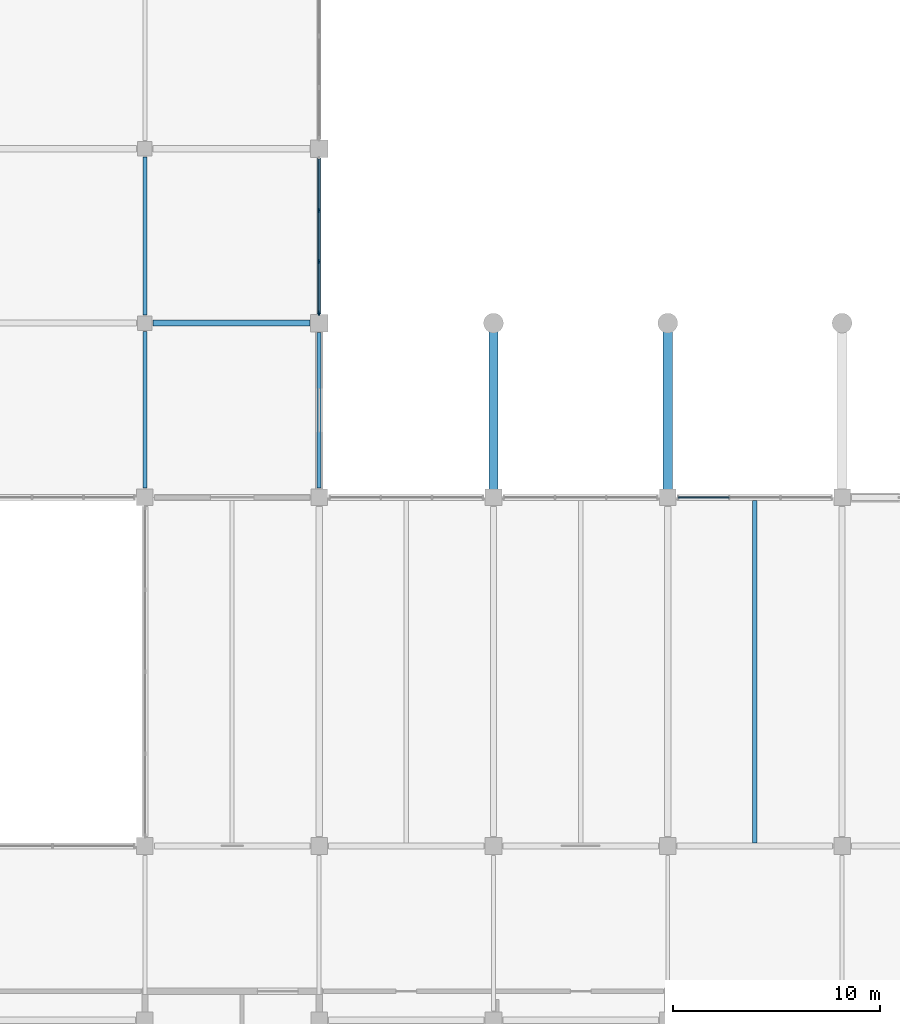
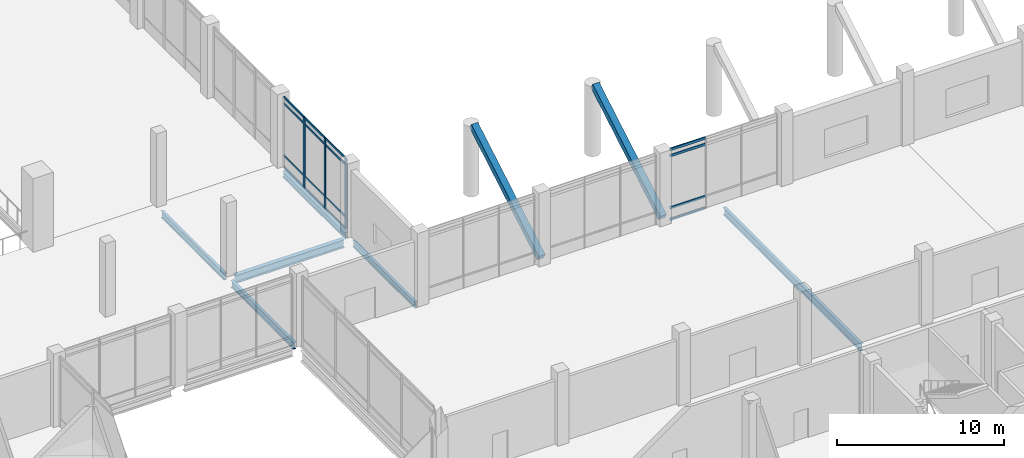
# One storey, part 10 of 72: 21 members, 6 beams, 2 elements without a shape of their own.
"""IFC4 building model written with IfcOpenShell, lengths in metres."""

import ifcopenshell
import ifcopenshell.guid

model = None  # the IFC model being written
_history = None  # IfcOwnerHistory: only IFC2X3 demands one
_inside = {}  # id of a spatial element -> (the spatial element, [elements in it])
_under = {}  # id of a project, library or spatial element -> (it, [spatial elements below it])
_declared = {}  # id of a project -> (the project, [libraries it declares])
_typed = {}  # id of a type object -> (the type object, [elements of that type])
_made_of = {}  # id of a material, layer set ... -> (it, [elements and type objects made of it])


def new_model(schema):
    """Start an empty IFC model of exactly this schema.

    Asked for "IFC4X3", IfcOpenShell would pick the latest addendum, in which some entities
    have other attributes; the version numbers below select the first issue.
    IFC2X3 requires an IfcOwnerHistory on every rooted entity: one is made here for all.
    """
    global model, _history
    if schema == "IFC4X3":
        model = ifcopenshell.file(schema_version=(4, 3, 0, 0))
    else:
        model = ifcopenshell.file(schema=schema)
    _inside.clear()
    _under.clear()
    _declared.clear()
    _typed.clear()
    _made_of.clear()
    _history = None
    if model.schema == "IFC2X3":
        org = make("IfcOrganization", Name="unknown")
        user = make(
            "IfcPersonAndOrganization",
            ThePerson=make("IfcPerson", FamilyName="unknown"),
            TheOrganization=org,
        )
        app = make(
            "IfcApplication",
            ApplicationDeveloper=org,
            Version="unknown",
            ApplicationFullName="unknown",
            ApplicationIdentifier="unknown",
        )
        _history = make(
            "IfcOwnerHistory",
            OwningUser=user,
            OwningApplication=app,
            ChangeAction="ADDED",
            CreationDate=0,
        )
    return model


def make(cls, **values):
    """One entity of the class cls with the attributes given. An attribute that is None is left unset."""
    return model.create_entity(
        cls, **{name: value for name, value in values.items() if value is not None}
    )


def rooted(cls, **values):
    """An entity with a GlobalId (a new one), such as an element, a storey or a relation."""
    return make(cls, GlobalId=ifcopenshell.guid.new(), OwnerHistory=_history, **values)


def si_unit(unit_type, name, prefix=None):
    """IfcSIUnit, for example si_unit("LENGTHUNIT", "METRE", prefix="MILLI")."""
    return make("IfcSIUnit", UnitType=unit_type, Prefix=prefix, Name=name)


def assignment(units):
    """IfcUnitAssignment: the units of a project."""
    return None if units is None else make("IfcUnitAssignment", Units=units)


def point(xyz):
    """IfcCartesianPoint."""
    return None if xyz is None else make("IfcCartesianPoint", Coordinates=xyz)


def direction(xyz):
    """IfcDirection."""
    return None if xyz is None else make("IfcDirection", DirectionRatios=xyz)


def frame(location, z_axis=None, x_axis=None):
    """IfcAxis2Placement3D, a coordinate frame: its origin and axes. An axis left out is left unset."""
    return make(
        "IfcAxis2Placement3D",
        Location=point(location),
        Axis=direction(z_axis),
        RefDirection=direction(x_axis),
    )


def frame_2d(location, x_axis=None):
    """IfcAxis2Placement2D, a coordinate frame in the plane: its origin and x axis."""
    return make(
        "IfcAxis2Placement2D", Location=point(location), RefDirection=direction(x_axis)
    )


def origin():
    """The frame at (0, 0, 0) with its axes left unset."""
    return frame((0.0, 0.0, 0.0))


def origin_2d():
    """The frame at (0, 0) in the plane with its x axis left unset."""
    return frame_2d((0.0, 0.0))


def place(relative_to, where):
    """IfcLocalPlacement: puts the frame where relative to a parent placement (None: the world)."""
    return make(
        "IfcLocalPlacement", PlacementRelTo=relative_to, RelativePlacement=where
    )


def context(
    kind, dimensions, precision=None, world=None, true_north=None, identifier=None
):
    """IfcGeometricRepresentationContext, for example the 3D "Model" context."""
    return make(
        "IfcGeometricRepresentationContext",
        ContextIdentifier=identifier,
        ContextType=kind,
        CoordinateSpaceDimension=dimensions,
        Precision=precision,
        WorldCoordinateSystem=world,
        TrueNorth=true_north,
    )


def subcontext(parent, identifier, kind, view, scale=None):
    """IfcGeometricRepresentationSubContext, for example "Body" below "Model"."""
    return make(
        "IfcGeometricRepresentationSubContext",
        ContextIdentifier=identifier,
        ContextType=kind,
        ParentContext=parent,
        TargetScale=scale,
        TargetView=view,
    )


def project(units=None, contexts=None):
    """IfcProject with its units and contexts."""
    return rooted(
        "IfcProject",
        Name="project",
        RepresentationContexts=contexts,
        UnitsInContext=assignment(units),
    )


def spatial(cls, under=None, at=None, **own):
    """A site, building, storey or space (cls), placed at a placement, below another one or the project."""
    s = rooted(cls, ObjectPlacement=at, **own)
    if under is not None:
        _under.setdefault(under.id(), (under, []))[1].append(s)
    return s


def profile(cls, at=None, kind="AREA", **sizes):
    """A parametric profile (cls). Its sizes go by their IFC names, for example OverallWidth=200.0."""
    return make(cls, ProfileType=kind, Position=at, **sizes)


def rectangle(**sizes):
    """IfcRectangleProfileDef."""
    return profile("IfcRectangleProfileDef", **sizes)


def i_section(**sizes):
    """IfcIShapeProfileDef."""
    return profile("IfcIShapeProfileDef", **sizes)


def extrude(swept, where, along, depth):
    """IfcExtrudedAreaSolid: the profile swept, set in the frame where, extruded along a direction by depth."""
    return make(
        "IfcExtrudedAreaSolid",
        SweptArea=swept,
        Position=where,
        ExtrudedDirection=direction(along),
        Depth=depth,
    )


def shape(context_of_items, identifier, shape_type, items):
    """IfcShapeRepresentation: the items that make up one representation, for example the "Body"."""
    return make(
        "IfcShapeRepresentation",
        ContextOfItems=context_of_items,
        RepresentationIdentifier=identifier,
        RepresentationType=shape_type,
        Items=items,
    )


def material(Name=None, Category=None):
    """IfcMaterial."""
    return make("IfcMaterial", Name=Name, Category=Category)


def layer(
    of_material, thickness, ventilated=None, Name=None, Category=None, Priority=None
):
    """IfcMaterialLayer: one layer of a wall or slab, of a material (None: an air gap)."""
    return make(
        "IfcMaterialLayer",
        Material=of_material,
        LayerThickness=thickness,
        IsVentilated=ventilated,
        Name=Name,
        Category=Category,
        Priority=Priority,
    )


def layer_set(layers, Name=None):
    """IfcMaterialLayerSet."""
    return make("IfcMaterialLayerSet", MaterialLayers=layers, LayerSetName=Name)


def material_profile(
    of_material, cross_section, Name=None, Category=None, Priority=None
):
    """IfcMaterialProfile: a cross section and its material."""
    return make(
        "IfcMaterialProfile",
        Name=Name,
        Material=of_material,
        Profile=cross_section,
        Priority=Priority,
        Category=Category,
    )


def profile_set(profiles, Name=None, composite=None):
    """IfcMaterialProfileSet."""
    return make(
        "IfcMaterialProfileSet",
        Name=Name,
        MaterialProfiles=profiles,
        CompositeProfile=composite,
    )


def made_of(thing, what):
    """Note that an element or type object is made of a material, layer set ...; save() writes the relation."""
    if what is not None:
        _made_of.setdefault(what.id(), (what, []))[1].append(thing)
    return thing


def type_object(cls, material=None, **own):
    """A type object (cls), such as IfcWallType, which elements share."""
    return made_of(rooted(cls, **own), material)


def element(
    cls,
    number,
    at=None,
    inside=None,
    cuts=None,
    type_object=None,
    material=None,
    context=None,
    identifier="Body",
    shape_type=None,
    held_by="IfcProductDefinitionShape",
    body=None,
    shapes=None,
    **own,
):
    """One element of the class cls, such as IfcWall. Its Tag is "e" and its number.

    at: its placement. inside: the storey or other place that contains it. cuts: it is an
    opening in that element (IfcRelVoidsElement). A single representation is given by context,
    identifier, shape_type and body (its items); several are given by shapes. held_by: the class
    of the entity that holds the representations. save() writes the other relations.
    """
    e = rooted(cls, Tag="e%d" % number, ObjectPlacement=at, **own)
    if body is not None:
        shapes = [shape(context, identifier, shape_type, body)]
    if shapes is not None:
        e.Representation = make(held_by, Representations=shapes)
    if inside is not None:
        _inside.setdefault(inside.id(), (inside, []))[1].append(e)
    if cuts is not None:
        rooted(
            "IfcRelVoidsElement", RelatingBuildingElement=cuts, RelatedOpeningElement=e
        )
    if type_object is not None:
        _typed.setdefault(type_object.id(), (type_object, []))[1].append(e)
    return made_of(e, material)


def aggregate(whole, parts):
    """IfcRelAggregates: a whole, such as a stair, and the parts it consists of."""
    return rooted("IfcRelAggregates", RelatingObject=whole, RelatedObjects=parts)


def save(model, path):
    """Write the relations noted so far, then the file.

    IfcRelAggregates (storeys below a building ...), IfcRelContainedInSpatialStructure (elements
    in a storey), IfcRelDefinesByType, IfcRelAssociatesMaterial and IfcRelDeclares: one each for
    every whole, place, type object, material and project.
    """
    for whole, parts in _under.values():
        aggregate(whole, parts)
    for where, things in _inside.values():
        rooted(
            "IfcRelContainedInSpatialStructure",
            RelatedElements=things,
            RelatingStructure=where,
        )
    for kind, things in _typed.values():
        rooted("IfcRelDefinesByType", RelatedObjects=things, RelatingType=kind)
    for what, things in _made_of.values():
        rooted("IfcRelAssociatesMaterial", RelatedObjects=things, RelatingMaterial=what)
    for by, libraries in _declared.values():
        rooted("IfcRelDeclares", RelatingContext=by, RelatedDefinitions=libraries)
    model.write(path)


model = new_model("IFC4")

# Units and contexts
model_context = context("Model", 3, precision=1e-05, world=origin(), true_north=direction((0.0, 1.0)))
body_context = subcontext(model_context, "Body", "Model", "MODEL_VIEW")
ifc_project = project(units=[si_unit("LENGTHUNIT", "METRE"), si_unit("AREAUNIT", "SQUARE_METRE"), si_unit("VOLUMEUNIT", "CUBIC_METRE"), si_unit("PLANEANGLEUNIT", "RADIAN"), si_unit("MASSUNIT", "GRAM", prefix="KILO")], contexts=[model_context])

# Site, building, storey
site_placement = place(None, origin())
site = spatial("IfcSite", under=ifc_project, at=site_placement, CompositionType="ELEMENT")
building_placement = place(site_placement, origin())
building = spatial("IfcBuilding", under=site, at=building_placement, Name="Qawsi Khor Wholesale Market", CompositionType="ELEMENT")
storey_placement = place(building_placement, frame((0.0, 0.0, 6.0)))
storey = spatial("IfcBuildingStorey", under=building, at=storey_placement, Name="L01", CompositionType="ELEMENT", Elevation=6.0)

# Curtain wall, members
ifc_material_1 = material(Name="Aluminium Anodised Bronze", Category="aluminium")
ifc_layer_1 = layer(ifc_material_1, 0.199951171875, Name="Aluminium Anodised Bronze")
ifc_layer_set_1 = layer_set([ifc_layer_1], Name="Aluminium Anodised Bronze")
curtain_wall_type_1 = type_object("IfcCurtainWallType", Name="Trading Hall North-Light Curtain Wall CW-03", PredefinedType="NOTDEFINED", material=ifc_layer_set_1)
curtain_wall_1_placement = place(storey_placement, origin())
curtain_wall_1 = element("IfcCurtainWall", 1, at=curtain_wall_1_placement, inside=storey, type_object=curtain_wall_type_1, Name="Curtain wall CW-CW-03-L01-073", PredefinedType="NOTDEFINED")
ifc_material_profile_1 = material_profile(ifc_material_1, rectangle(XDim=0.074951171875, YDim=0.219970703125, at=origin_2d()), Name="ALU MULLION 75x220")
ifc_profile_set_1 = profile_set([ifc_material_profile_1], Name="Aluminium Anodised Bronze")
member_type_1 = type_object("IfcMemberType", Name="Curtain Wall Mullion CW-03 ALU MULLION 75x220", PredefinedType="MULLION", material=ifc_profile_set_1)
member_1_placement = place(storey_placement, frame((75.60009765625, 50.8974609375, -0.02001953125), z_axis=(0.0, 0.0, 1.0), x_axis=(1.0, 0.0, 0.0)))
member_1 = element("IfcMember", 2, at=member_1_placement, type_object=member_type_1, Name="Mullion CW-CW-03-L01-073-M00", PredefinedType="MULLION", context=body_context, shape_type="SweptSolid", body=[
    extrude(rectangle(XDim=0.074951171875, YDim=0.219970703125, at=origin_2d()), origin(), (0.0, 0.0, 1.0), 5.14990234375),
])
member_2_placement = place(storey_placement, frame((75.60009765625, 53.36572265625, -0.02001953125), z_axis=(0.0, 0.0, 1.0), x_axis=(1.0, 0.0, 0.0)))
member_2 = element("IfcMember", 3, at=member_2_placement, type_object=member_type_1, Name="Mullion CW-CW-03-L01-073-M01", PredefinedType="MULLION", context=body_context, shape_type="SweptSolid", body=[
    extrude(rectangle(XDim=0.074951171875, YDim=0.219970703125, at=origin_2d()), origin(), (0.0, 0.0, 1.0), 5.14990234375),
])
member_3_placement = place(storey_placement, frame((75.60009765625, 55.834228515625, -0.02001953125), z_axis=(0.0, 0.0, 1.0), x_axis=(1.0, 0.0, 0.0)))
member_3 = element("IfcMember", 4, at=member_3_placement, type_object=member_type_1, Name="Mullion CW-CW-03-L01-073-M02", PredefinedType="MULLION", context=body_context, shape_type="SweptSolid", body=[
    extrude(rectangle(XDim=0.074951171875, YDim=0.219970703125, at=origin_2d()), origin(), (0.0, 0.0, 1.0), 5.14990234375),
])
ifc_material_profile_2 = material_profile(ifc_material_1, rectangle(XDim=0.070068359375, YDim=0.14990234375, at=origin_2d()), Name="ALU TRANSOM 70x150")
ifc_profile_set_2 = profile_set([ifc_material_profile_2], Name="Aluminium Anodised Bronze")
member_type_2 = type_object("IfcMemberType", Name="Curtain Wall Transom CW-03 ALU TRANSOM 70x150", PredefinedType="USERDEFINED", material=ifc_profile_set_2)
member_4_placement = place(storey_placement, frame((75.60009765625, 50.8974609375, 0.0), z_axis=(0.0, 1.0, 0.0), x_axis=(-1.0, 0.0, 0.0)))
member_4 = element("IfcMember", 5, at=member_4_placement, type_object=member_type_2, Name="Transom CW-CW-03-L01-073-T0_00", ObjectType="TRANSOM", PredefinedType="USERDEFINED", context=body_context, shape_type="SweptSolid", body=[
    extrude(rectangle(XDim=0.070068359375, YDim=0.14990234375, at=origin_2d()), origin(), (0.0, 0.0, 1.0), 2.46826171875),
])
member_5_placement = place(storey_placement, frame((75.60009765625, 53.36572265625, 0.0), z_axis=(0.0, 1.0, 0.0), x_axis=(-1.0, 0.0, 0.0)))
member_5 = element("IfcMember", 6, at=member_5_placement, type_object=member_type_2, Name="Transom CW-CW-03-L01-073-T0_01", ObjectType="TRANSOM", PredefinedType="USERDEFINED", context=body_context, shape_type="SweptSolid", body=[
    extrude(rectangle(XDim=0.070068359375, YDim=0.14990234375, at=origin_2d()), origin(), (0.0, 0.0, 1.0), 2.468505859375),
])
member_6_placement = place(storey_placement, frame((75.60009765625, 55.834228515625, 0.0), z_axis=(0.0, 1.0, 0.0), x_axis=(-1.0, 0.0, 0.0)))
member_6 = element("IfcMember", 7, at=member_6_placement, type_object=member_type_2, Name="Transom CW-CW-03-L01-073-T0_02", ObjectType="TRANSOM", PredefinedType="USERDEFINED", context=body_context, shape_type="SweptSolid", body=[
    extrude(rectangle(XDim=0.070068359375, YDim=0.14990234375, at=origin_2d()), origin(), (0.0, 0.0, 1.0), 2.46826171875),
])
member_7_placement = place(storey_placement, frame((75.60009765625, 50.8974609375, 0.85009765625), z_axis=(0.0, 1.0, 0.0), x_axis=(-1.0, 0.0, 0.0)))
member_7 = element("IfcMember", 8, at=member_7_placement, type_object=member_type_2, Name="Transom CW-CW-03-L01-073-T1_00", ObjectType="TRANSOM", PredefinedType="USERDEFINED", context=body_context, shape_type="SweptSolid", body=[
    extrude(rectangle(XDim=0.070068359375, YDim=0.14990234375, at=origin_2d()), origin(), (0.0, 0.0, 1.0), 2.46826171875),
])
member_8_placement = place(storey_placement, frame((75.60009765625, 53.36572265625, 0.85009765625), z_axis=(0.0, 1.0, 0.0), x_axis=(-1.0, 0.0, 0.0)))
member_8 = element("IfcMember", 9, at=member_8_placement, type_object=member_type_2, Name="Transom CW-CW-03-L01-073-T1_01", ObjectType="TRANSOM", PredefinedType="USERDEFINED", context=body_context, shape_type="SweptSolid", body=[
    extrude(rectangle(XDim=0.070068359375, YDim=0.14990234375, at=origin_2d()), origin(), (0.0, 0.0, 1.0), 2.468505859375),
])
member_9_placement = place(storey_placement, frame((75.60009765625, 55.834228515625, 0.85009765625), z_axis=(0.0, 1.0, 0.0), x_axis=(-1.0, 0.0, 0.0)))
member_9 = element("IfcMember", 10, at=member_9_placement, type_object=member_type_2, Name="Transom CW-CW-03-L01-073-T1_02", ObjectType="TRANSOM", PredefinedType="USERDEFINED", context=body_context, shape_type="SweptSolid", body=[
    extrude(rectangle(XDim=0.070068359375, YDim=0.14990234375, at=origin_2d()), origin(), (0.0, 0.0, 1.0), 2.46826171875),
])
member_10_placement = place(storey_placement, frame((75.60009765625, 50.8974609375, 4.679931640625), z_axis=(0.0, 1.0, 0.0), x_axis=(-1.0, 0.0, 0.0)))
member_10 = element("IfcMember", 11, at=member_10_placement, type_object=member_type_2, Name="Transom CW-CW-03-L01-073-T2_00", ObjectType="TRANSOM", PredefinedType="USERDEFINED", context=body_context, shape_type="SweptSolid", body=[
    extrude(rectangle(XDim=0.070068359375, YDim=0.14990234375, at=origin_2d()), origin(), (0.0, 0.0, 1.0), 2.46826171875),
])
member_11_placement = place(storey_placement, frame((75.60009765625, 53.36572265625, 4.679931640625), z_axis=(0.0, 1.0, 0.0), x_axis=(-1.0, 0.0, 0.0)))
member_11 = element("IfcMember", 12, at=member_11_placement, type_object=member_type_2, Name="Transom CW-CW-03-L01-073-T2_01", ObjectType="TRANSOM", PredefinedType="USERDEFINED", context=body_context, shape_type="SweptSolid", body=[
    extrude(rectangle(XDim=0.070068359375, YDim=0.14990234375, at=origin_2d()), origin(), (0.0, 0.0, 1.0), 2.468505859375),
])
member_12_placement = place(storey_placement, frame((75.60009765625, 55.834228515625, 4.679931640625), z_axis=(0.0, 1.0, 0.0), x_axis=(-1.0, 0.0, 0.0)))
member_12 = element("IfcMember", 13, at=member_12_placement, type_object=member_type_2, Name="Transom CW-CW-03-L01-073-T2_02", ObjectType="TRANSOM", PredefinedType="USERDEFINED", context=body_context, shape_type="SweptSolid", body=[
    extrude(rectangle(XDim=0.070068359375, YDim=0.14990234375, at=origin_2d()), origin(), (0.0, 0.0, 1.0), 2.46826171875),
])
member_13_placement = place(storey_placement, frame((75.60009765625, 50.8974609375, 5.1298828125), z_axis=(0.0, 1.0, 0.0), x_axis=(-1.0, 0.0, 0.0)))
member_13 = element("IfcMember", 14, at=member_13_placement, type_object=member_type_2, Name="Transom CW-CW-03-L01-073-T3_00", ObjectType="TRANSOM", PredefinedType="USERDEFINED", context=body_context, shape_type="SweptSolid", body=[
    extrude(rectangle(XDim=0.070068359375, YDim=0.14990234375, at=origin_2d()), origin(), (0.0, 0.0, 1.0), 2.46826171875),
])
member_14_placement = place(storey_placement, frame((75.60009765625, 53.36572265625, 5.1298828125), z_axis=(0.0, 1.0, 0.0), x_axis=(-1.0, 0.0, 0.0)))
member_14 = element("IfcMember", 15, at=member_14_placement, type_object=member_type_2, Name="Transom CW-CW-03-L01-073-T3_01", ObjectType="TRANSOM", PredefinedType="USERDEFINED", context=body_context, shape_type="SweptSolid", body=[
    extrude(rectangle(XDim=0.070068359375, YDim=0.14990234375, at=origin_2d()), origin(), (0.0, 0.0, 1.0), 2.468505859375),
])
member_15_placement = place(storey_placement, frame((75.60009765625, 55.834228515625, 5.1298828125), z_axis=(0.0, 1.0, 0.0), x_axis=(-1.0, 0.0, 0.0)))
member_15 = element("IfcMember", 16, at=member_15_placement, type_object=member_type_2, Name="Transom CW-CW-03-L01-073-T3_02", ObjectType="TRANSOM", PredefinedType="USERDEFINED", context=body_context, shape_type="SweptSolid", body=[
    extrude(rectangle(XDim=0.070068359375, YDim=0.14990234375, at=origin_2d()), origin(), (0.0, 0.0, 1.0), 2.46826171875),
])
aggregate(curtain_wall_1, [member_1, member_2, member_3, member_4, member_5, member_6, member_7, member_8, member_9, member_10, member_11, member_12, member_13, member_14, member_15])

ifc_layer_2 = layer(ifc_material_1, 0.169921875, Name="Aluminium Anodised Bronze")
ifc_layer_set_2 = layer_set([ifc_layer_2], Name="Aluminium Anodised Bronze")
curtain_wall_type_2 = type_object("IfcCurtainWallType", Name="Central Court Gallery Curtain Wall CW-05", PredefinedType="NOTDEFINED", material=ifc_layer_set_2)
curtain_wall_2_placement = place(storey_placement, origin())
curtain_wall_2 = element("IfcCurtainWall", 17, at=curtain_wall_2_placement, inside=storey, type_object=curtain_wall_type_2, Name="Curtain wall CW-CW-05-L01-062", PredefinedType="NOTDEFINED")
ifc_material_profile_3 = material_profile(ifc_material_1, rectangle(XDim=0.080078125, YDim=0.179931640625, at=origin_2d()), Name="ALU TRANSOM 80x180")
ifc_profile_set_3 = profile_set([ifc_material_profile_3], Name="Aluminium Anodised Bronze")
member_type_3 = type_object("IfcMemberType", Name="Curtain Wall Transom CW-05 ALU TRANSOM 80x180", PredefinedType="USERDEFINED", material=ifc_profile_set_3)
member_16_placement = place(storey_placement, frame((92.89990234375, 42.0, 0.0), z_axis=(1.0, 0.0, 0.0), x_axis=(0.0, 1.0, 0.0)))
member_16 = element("IfcMember", 18, at=member_16_placement, type_object=member_type_3, Name="Transom CW-CW-05-L01-062-T0_00", ObjectType="TRANSOM", PredefinedType="USERDEFINED", context=body_context, shape_type="SweptSolid", body=[
    extrude(rectangle(XDim=0.080078125, YDim=0.179931640625, at=origin_2d()), origin(), (0.0, 0.0, 1.0), 2.466796875),
])
member_17_placement = place(storey_placement, frame((92.89990234375, 42.0, 0.85009765625), z_axis=(1.0, 0.0, 0.0), x_axis=(0.0, 1.0, 0.0)))
member_17 = element("IfcMember", 19, at=member_17_placement, type_object=member_type_3, Name="Transom CW-CW-05-L01-062-T1_00", ObjectType="TRANSOM", PredefinedType="USERDEFINED", context=body_context, shape_type="SweptSolid", body=[
    extrude(rectangle(XDim=0.080078125, YDim=0.179931640625, at=origin_2d()), origin(), (0.0, 0.0, 1.0), 2.466796875),
])
member_18_placement = place(storey_placement, frame((92.89990234375, 42.0, 4.669921875), z_axis=(1.0, 0.0, 0.0), x_axis=(0.0, 1.0, 0.0)))
member_18 = element("IfcMember", 20, at=member_18_placement, type_object=member_type_3, Name="Transom CW-CW-05-L01-062-T2_00", ObjectType="TRANSOM", PredefinedType="USERDEFINED", context=body_context, shape_type="SweptSolid", body=[
    extrude(rectangle(XDim=0.080078125, YDim=0.179931640625, at=origin_2d()), origin(), (0.0, 0.0, 1.0), 2.466796875),
])
member_19_placement = place(storey_placement, frame((92.89990234375, 42.0, 5.1201171875), z_axis=(1.0, 0.0, 0.0), x_axis=(0.0, 1.0, 0.0)))
member_19 = element("IfcMember", 21, at=member_19_placement, type_object=member_type_3, Name="Transom CW-CW-05-L01-062-T3_00", ObjectType="TRANSOM", PredefinedType="USERDEFINED", context=body_context, shape_type="SweptSolid", body=[
    extrude(rectangle(XDim=0.080078125, YDim=0.179931640625, at=origin_2d()), origin(), (0.0, 0.0, 1.0), 2.466796875),
])
aggregate(curtain_wall_2, [member_16, member_17, member_18, member_19])

# Beam
ifc_material_2 = material(Name="Steel S355", Category="steel")
ifc_material_profile_4 = material_profile(ifc_material_2, i_section(OverallWidth=0.300048828125, OverallDepth=0.590087890625, WebThickness=0.012939453125, FlangeThickness=0.02490234375, FilletRadius=0.027099609375, at=origin_2d()), Name="HEA 600")
ifc_profile_set_4 = profile_set([ifc_material_profile_4], Name="Steel S355")
beam_type_1 = type_object("IfcBeamType", Name="Primary Girder HEA 600", PredefinedType="BEAM", material=ifc_profile_set_4)
beam_1_placement = place(storey_placement, frame((67.60009765625, 50.39990234375, -0.56494140625), z_axis=(1.0, 0.0, 0.0), x_axis=(0.0, 1.0, 0.0)))
element("IfcBeam", 22, at=beam_1_placement, inside=storey, type_object=beam_type_1, Name="BM-X-L01-08_+06", PredefinedType="BEAM", context=body_context, shape_type="SweptSolid", body=[
    extrude(i_section(OverallWidth=0.300048828125, OverallDepth=0.590087890625, WebThickness=0.012939453125, FlangeThickness=0.02490234375, FilletRadius=0.027099609375, at=origin_2d()), origin(), (0.0, 0.0, 1.0), 7.5498046875),
])

# Members
ifc_material_3 = material(Name="Concrete C40/50", Category="concrete")
ifc_material_profile_5 = material_profile(ifc_material_3, rectangle(XDim=0.449951171875, YDim=0.449951171875, at=origin_2d()), Name="RC 450x450")
ifc_profile_set_5 = profile_set([ifc_material_profile_5], Name="Concrete C40/50")
member_type_4 = type_object("IfcMemberType", Name="Sculpted Concrete V-Strut RC 450x450", PredefinedType="STRUT", material=ifc_profile_set_5)
for number, where, z_axis, x_axis, name in (
    (23, (84.0, 42.0, 0.35009765625), (0.0, 0.861689753874, 0.50743548168), (-1.0, 0.0, 0.0), "Court Balcony Raked Concrete Strut 10"),
    (24, (92.39990234375, 42.0, 0.35009765625), (0.0, 0.861689753874, 0.50743548168), (-1.0, 0.0, 0.0), "Court Balcony Raked Concrete Strut 11"),
):
    element("IfcMember", number, at=place(storey_placement, frame(where, z_axis=z_axis, x_axis=x_axis)), inside=storey, type_object=member_type_4, Name=name, PredefinedType="STRUT", context=body_context, shape_type="SweptSolid", body=[
        extrude(rectangle(XDim=0.449951171875, YDim=0.449951171875, at=origin_2d()), origin(), (0.0, 0.0, 1.0), 9.400146484375),
    ])

# Beams
ifc_material_profile_6 = material_profile(ifc_material_2, i_section(OverallWidth=0.18994140625, OverallDepth=0.449951171875, WebThickness=0.009521484375, FlangeThickness=0.0146484375, FilletRadius=0.02099609375, at=origin_2d()), Name="IPE 450")
ifc_profile_set_6 = profile_set([ifc_material_profile_6], Name="Steel S355")
beam_type_2 = type_object("IfcBeamType", Name="Secondary Beam IPE 450", PredefinedType="BEAM", material=ifc_profile_set_6)
for number, where, z_axis, x_axis, name in (
    (25, (75.60009765625, 42.449951171875, -0.4951171875), (0.0, 1.0, 0.0), (-1.0, 0.0, 0.0), "BM-Y-L01-09_+05"),
    (26, (75.60009765625, 50.85009765625, -0.4951171875), (0.0, 1.0, 0.0), (-1.0, 0.0, 0.0), "BM-Y-L01-09_+06"),
):
    element("IfcBeam", number, at=place(storey_placement, frame(where, z_axis=z_axis, x_axis=x_axis)), inside=storey, type_object=beam_type_2, Name=name, PredefinedType="BEAM", context=body_context, shape_type="SweptSolid", body=[
        extrude(i_section(OverallWidth=0.18994140625, OverallDepth=0.449951171875, WebThickness=0.009521484375, FlangeThickness=0.0146484375, FilletRadius=0.02099609375, at=origin_2d()), origin(), (0.0, 0.0, 1.0), 7.5),
    ])
ifc_material_profile_7 = material_profile(ifc_material_2, i_section(OverallWidth=0.199951171875, OverallDepth=0.5, WebThickness=0.01025390625, FlangeThickness=0.01611328125, FilletRadius=0.02099609375, at=origin_2d()), Name="IPE 500")
ifc_profile_set_7 = profile_set([ifc_material_profile_7], Name="Steel S355")
beam_type_3 = type_object("IfcBeamType", Name="Secondary Beam IPE 500", PredefinedType="BEAM", material=ifc_profile_set_7)
beam_2_placement = place(storey_placement, frame((67.199951171875, 42.449951171875, -0.52001953125), z_axis=(0.0, 1.0, 0.0), x_axis=(-1.0, 0.0, 0.0)))
element("IfcBeam", 27, at=beam_2_placement, inside=storey, type_object=beam_type_3, Name="BM-Y-L01-08_+05", PredefinedType="BEAM", context=body_context, shape_type="SweptSolid", body=[
    extrude(i_section(OverallWidth=0.199951171875, OverallDepth=0.5, WebThickness=0.01025390625, FlangeThickness=0.01611328125, FilletRadius=0.02099609375, at=origin_2d()), origin(), (0.0, 0.0, 1.0), 7.550048828125),
])
beam_3_placement = place(storey_placement, frame((67.199951171875, 50.800048828125, -0.52001953125), z_axis=(0.0, 1.0, 0.0), x_axis=(-1.0, 0.0, 0.0)))
element("IfcBeam", 28, at=beam_3_placement, inside=storey, type_object=beam_type_3, Name="BM-Y-L01-08_+06", PredefinedType="BEAM", context=body_context, shape_type="SweptSolid", body=[
    extrude(i_section(OverallWidth=0.199951171875, OverallDepth=0.5, WebThickness=0.01025390625, FlangeThickness=0.01611328125, FilletRadius=0.02099609375, at=origin_2d()), origin(), (0.0, 0.0, 1.0), 7.599853515625),
])
ifc_material_profile_8 = material_profile(ifc_material_2, i_section(OverallWidth=0.2099609375, OverallDepth=0.550048828125, WebThickness=0.010986328125, FlangeThickness=0.01708984375, FilletRadius=0.02392578125, at=origin_2d()), Name="IPE 550")
ifc_profile_set_8 = profile_set([ifc_material_profile_8], Name="Steel S355")
beam_type_4 = type_object("IfcBeamType", Name="Secondary Beam IPE 550", PredefinedType="BEAM", material=ifc_profile_set_8)
beam_4_placement = place(storey_placement, frame((96.60009765625, 25.35009765625, -0.554931640625), z_axis=(0.0, 1.0, 0.0), x_axis=(-1.0, 0.0, 0.0)))
element("IfcBeam", 29, at=beam_4_placement, inside=storey, type_object=beam_type_4, Name="JST-M-L01-11", PredefinedType="BEAM", context=body_context, shape_type="SweptSolid", body=[
    extrude(i_section(OverallWidth=0.2099609375, OverallDepth=0.550048828125, WebThickness=0.010986328125, FlangeThickness=0.01708984375, FilletRadius=0.02392578125, at=origin_2d()), origin(), (0.0, 0.0, 1.0), 16.5),
])

save(model, "model.ifc")
